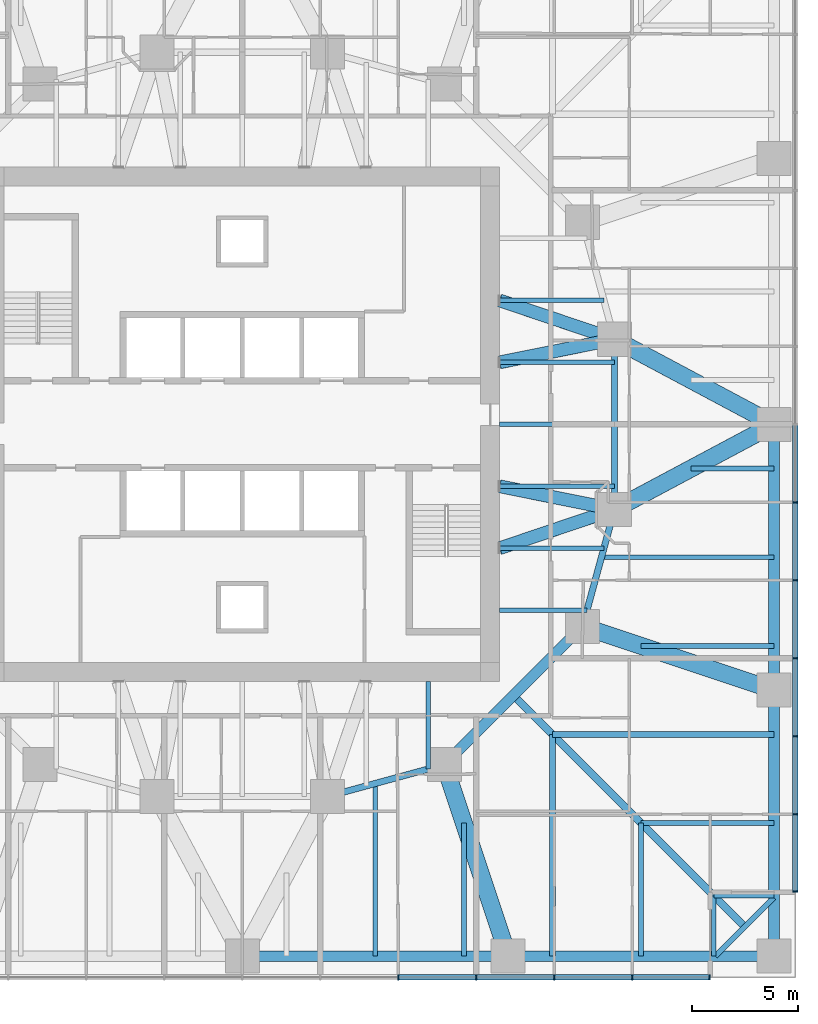
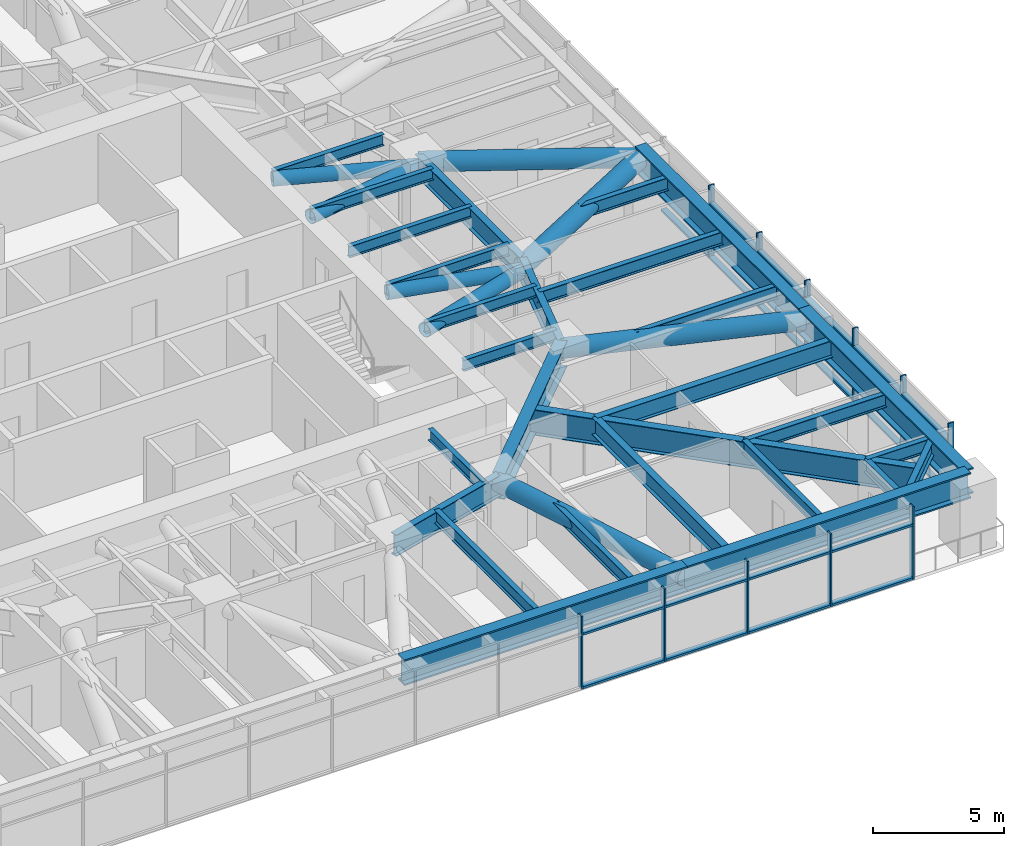
# One storey, part 4 of 17: 38 members, 28 beams, 2 elements without a shape of their own.
"""IFC4 building model written with IfcOpenShell, lengths in metres."""

from ifc_helpers import new_model, si_unit, direction, frame, origin, origin_2d, place, context, subcontext, project, spatial, rectangle, hollow_circle, i_section, extrude, material, material_profile, profile_set, type_object, element, aggregate, save


model = new_model("IFC4")

# Units and contexts
model_context = context("Model", 3, precision=1e-05, world=origin(), true_north=direction((0.0, 1.0)))
body_context = subcontext(model_context, "Body", "Model", "MODEL_VIEW")
ifc_project = project(units=[si_unit("LENGTHUNIT", "METRE"), si_unit("AREAUNIT", "SQUARE_METRE"), si_unit("VOLUMEUNIT", "CUBIC_METRE"), si_unit("PLANEANGLEUNIT", "RADIAN"), si_unit("MASSUNIT", "GRAM", prefix="KILO")], contexts=[model_context])

# Site, building, storey
site_placement = place(None, origin())
site = spatial("IfcSite", under=ifc_project, at=site_placement, CompositionType="ELEMENT")
building_placement = place(site_placement, origin())
building = spatial("IfcBuilding", under=site, at=building_placement, Name="Torsade Residences", CompositionType="ELEMENT")
storey_placement = place(building_placement, frame((0.0, 0.0, 38.800048828125)))
storey = spatial("IfcBuildingStorey", under=building, at=storey_placement, Name="L10", CompositionType="ELEMENT", Elevation=38.800048828125)

# Beams
ifc_material_1 = material(Name="Steel grade 300", Category="steel")
ifc_material_profile_1 = material_profile(ifc_material_1, i_section(OverallWidth=0.35009765625, OverallDepth=1.199951171875, WebThickness=0.01611328125, FlangeThickness=0.028076171875, at=origin_2d()), Name="1200WB278")
ifc_profile_set_1 = profile_set([ifc_material_profile_1], Name="Steel grade 300")
beam_type_1 = type_object("IfcBeamType", Name="CORNER GIRDER 1200WB278", PredefinedType="BEAM", material=ifc_profile_set_1)
beam_1_placement = place(storey_placement, frame((63.625, 6.375, 2.599853515625), z_axis=(-0.707106781187, 0.707106781187, 0.0), x_axis=(-0.707106781187, -0.707106781187, 0.0)))
element("IfcBeam", 1, at=beam_1_placement, inside=storey, type_object=beam_type_1, Name="Corner girder 05 L11", PredefinedType="BEAM", context=body_context, shape_type="SweptSolid", body=[
    extrude(i_section(OverallWidth=0.35009765625, OverallDepth=1.199951171875, WebThickness=0.01611328125, FlangeThickness=0.028076171875, at=origin_2d()), origin(), (0.0, 0.0, 1.0), 15.379638671875),
])
ifc_material_2 = material(Name="Steel grade 300", Category="steel")
ifc_material_profile_2 = material_profile(ifc_material_2, i_section(OverallWidth=0.25, OverallDepth=0.699951171875, WebThickness=0.010009765625, FlangeThickness=0.02001953125, at=origin_2d()), Name="700WB130")
ifc_profile_set_2 = profile_set([ifc_material_profile_2], Name="Steel grade 300")
beam_type_2 = type_object("IfcBeamType", Name="CORNER TRIMMER 700WB130", PredefinedType="BEAM", material=ifc_profile_set_2)
beam_2_placement = place(storey_placement, frame((65.0, 7.75, 2.849853515625), z_axis=(-0.707106781187, -0.707106781187, 0.0), x_axis=(0.707106781187, -0.707106781187, 0.0)))
element("IfcBeam", 2, at=beam_2_placement, inside=storey, type_object=beam_type_2, Name="Corner trimmer 05 L11", PredefinedType="BEAM", context=body_context, shape_type="SweptSolid", body=[
    extrude(i_section(OverallWidth=0.25, OverallDepth=0.699951171875, WebThickness=0.010009765625, FlangeThickness=0.02001953125, at=origin_2d()), origin(), (0.0, 0.0, 1.0), 3.88916015625),
])

# Curtain wall, members
ifc_material_3 = material(Name="Aluminium and glass", Category="aluminium")
curtain_wall_type = type_object("IfcCurtainWallType", Name="FRITTED GLASS CURTAIN WALL LOW ZONE", PredefinedType="NOTDEFINED", material=ifc_material_3)
curtain_wall_1_placement = place(storey_placement, origin())
curtain_wall_1 = element("IfcCurtainWall", 3, at=curtain_wall_1_placement, inside=storey, type_object=curtain_wall_type, Name="Curtain wall L10 face 1", PredefinedType="NOTDEFINED")
ifc_material_4 = material(Name="Aluminium mullion", Category="aluminium")
ifc_material_profile_3 = material_profile(ifc_material_4, rectangle(XDim=0.25, YDim=0.06494140625, at=origin_2d()), Name="CURTAIN WALL MULLION 250x65")
ifc_profile_set_3 = profile_set([ifc_material_profile_3], Name="Aluminium mullion")
member_type_1 = type_object("IfcMemberType", Name="CURTAIN WALL MULLION 250x65", PredefinedType="MULLION", material=ifc_profile_set_3)
member_1_placement = place(storey_placement, frame((47.333251953125, 4.0, 0.0), z_axis=(0.0, 0.0, 1.0), x_axis=(0.0, 1.0, 0.0)))
member_1 = element("IfcMember", 4, at=member_1_placement, type_object=member_type_1, Name="Mullion 9", PredefinedType="MULLION", context=body_context, shape_type="SweptSolid", body=[
    extrude(rectangle(XDim=0.25, YDim=0.06494140625, at=origin_2d()), origin(), (0.0, 0.0, 1.0), 3.39990234375),
])
member_2_placement = place(storey_placement, frame((51.0, 4.0, 0.0), z_axis=(0.0, 0.0, 1.0), x_axis=(0.0, 1.0, 0.0)))
member_2 = element("IfcMember", 5, at=member_2_placement, type_object=member_type_1, Name="Mullion 10", PredefinedType="MULLION", context=body_context, shape_type="SweptSolid", body=[
    extrude(rectangle(XDim=0.25, YDim=0.06494140625, at=origin_2d()), origin(), (0.0, 0.0, 1.0), 3.39990234375),
])
member_3_placement = place(storey_placement, frame((54.666748046875, 4.0, 0.0), z_axis=(0.0, 0.0, 1.0), x_axis=(0.0, 1.0, 0.0)))
member_3 = element("IfcMember", 6, at=member_3_placement, type_object=member_type_1, Name="Mullion 11", PredefinedType="MULLION", context=body_context, shape_type="SweptSolid", body=[
    extrude(rectangle(XDim=0.25, YDim=0.06494140625, at=origin_2d()), origin(), (0.0, 0.0, 1.0), 3.39990234375),
])
member_4_placement = place(storey_placement, frame((58.333251953125, 4.0, 0.0), z_axis=(0.0, 0.0, 1.0), x_axis=(0.0, 1.0, 0.0)))
member_4 = element("IfcMember", 7, at=member_4_placement, type_object=member_type_1, Name="Mullion 12", PredefinedType="MULLION", context=body_context, shape_type="SweptSolid", body=[
    extrude(rectangle(XDim=0.25, YDim=0.06494140625, at=origin_2d()), origin(), (0.0, 0.0, 1.0), 3.39990234375),
])
member_5_placement = place(storey_placement, frame((61.967529296875, 4.0, 0.0), z_axis=(0.0, 0.0, 1.0), x_axis=(0.0, 1.0, 0.0)))
member_5 = element("IfcMember", 8, at=member_5_placement, type_object=member_type_1, Name="Mullion 13", PredefinedType="MULLION", context=body_context, shape_type="SweptSolid", body=[
    extrude(rectangle(XDim=0.25, YDim=0.06494140625, at=origin_2d()), origin(), (0.0, 0.0, 1.0), 3.39990234375),
])

curtain_wall_2_placement = place(storey_placement, origin())
curtain_wall_2 = element("IfcCurtainWall", 9, at=curtain_wall_2_placement, inside=storey, type_object=curtain_wall_type, Name="Curtain wall L10 face 4", PredefinedType="NOTDEFINED")
member_6_placement = place(storey_placement, frame((66.0, 8.032470703125, 0.0), z_axis=(0.0, 0.0, 1.0), x_axis=(-1.0, 0.0, 0.0)))
member_6 = element("IfcMember", 10, at=member_6_placement, type_object=member_type_1, Name="Mullion 1", PredefinedType="MULLION", context=body_context, shape_type="SweptSolid", body=[
    extrude(rectangle(XDim=0.25, YDim=0.06494140625, at=origin_2d()), origin(), (0.0, 0.0, 1.0), 3.39990234375),
])
member_7_placement = place(storey_placement, frame((66.0, 11.666748046875, 0.0), z_axis=(0.0, 0.0, 1.0), x_axis=(-1.0, 0.0, 0.0)))
member_7 = element("IfcMember", 11, at=member_7_placement, type_object=member_type_1, Name="Mullion 2", PredefinedType="MULLION", context=body_context, shape_type="SweptSolid", body=[
    extrude(rectangle(XDim=0.25, YDim=0.06494140625, at=origin_2d()), origin(), (0.0, 0.0, 1.0), 3.39990234375),
])
member_8_placement = place(storey_placement, frame((66.0, 15.333251953125, 0.0), z_axis=(0.0, 0.0, 1.0), x_axis=(-1.0, 0.0, 0.0)))
member_8 = element("IfcMember", 12, at=member_8_placement, type_object=member_type_1, Name="Mullion 3", PredefinedType="MULLION", context=body_context, shape_type="SweptSolid", body=[
    extrude(rectangle(XDim=0.25, YDim=0.06494140625, at=origin_2d()), origin(), (0.0, 0.0, 1.0), 3.39990234375),
])
member_9_placement = place(storey_placement, frame((66.0, 19.0, 0.0), z_axis=(0.0, 0.0, 1.0), x_axis=(-1.0, 0.0, 0.0)))
member_9 = element("IfcMember", 13, at=member_9_placement, type_object=member_type_1, Name="Mullion 4", PredefinedType="MULLION", context=body_context, shape_type="SweptSolid", body=[
    extrude(rectangle(XDim=0.25, YDim=0.06494140625, at=origin_2d()), origin(), (0.0, 0.0, 1.0), 3.39990234375),
])
member_10_placement = place(storey_placement, frame((66.0, 22.666748046875, 0.0), z_axis=(0.0, 0.0, 1.0), x_axis=(-1.0, 0.0, 0.0)))
member_10 = element("IfcMember", 14, at=member_10_placement, type_object=member_type_1, Name="Mullion 5", PredefinedType="MULLION", context=body_context, shape_type="SweptSolid", body=[
    extrude(rectangle(XDim=0.25, YDim=0.06494140625, at=origin_2d()), origin(), (0.0, 0.0, 1.0), 3.39990234375),
])
member_11_placement = place(storey_placement, frame((66.0, 26.333251953125, 0.0), z_axis=(0.0, 0.0, 1.0), x_axis=(-1.0, 0.0, 0.0)))
member_11 = element("IfcMember", 15, at=member_11_placement, type_object=member_type_1, Name="Mullion 6", PredefinedType="MULLION", context=body_context, shape_type="SweptSolid", body=[
    extrude(rectangle(XDim=0.25, YDim=0.06494140625, at=origin_2d()), origin(), (0.0, 0.0, 1.0), 3.39990234375),
])

# Member
ifc_material_5 = material(Name="Aluminium transom", Category="aluminium")
ifc_material_profile_4 = material_profile(ifc_material_5, rectangle(XDim=0.25, YDim=0.10009765625, at=origin_2d()), Name="CURTAIN WALL TRANSOM 250x100")
ifc_profile_set_4 = profile_set([ifc_material_profile_4], Name="Aluminium transom")
member_type_2 = type_object("IfcMemberType", Name="CURTAIN WALL TRANSOM 250x100", PredefinedType="USERDEFINED", material=ifc_profile_set_4)
member_12_placement = place(storey_placement, frame((47.36572265625, 4.0, 0.050048828125), z_axis=(1.0, 0.0, 0.0), x_axis=(0.0, 1.0, 0.0)))
member_12 = element("IfcMember", 16, at=member_12_placement, type_object=member_type_2, Name="Transom 9.1", ObjectType="TRANSOM", PredefinedType="USERDEFINED", context=body_context, shape_type="SweptSolid", body=[
    extrude(rectangle(XDim=0.25, YDim=0.10009765625, at=origin_2d()), origin(), (0.0, 0.0, 1.0), 3.601806640625),
])

member_13_placement = place(storey_placement, frame((47.36572265625, 4.0, 2.550048828125), z_axis=(1.0, 0.0, 0.0), x_axis=(0.0, 1.0, 0.0)))
member_13 = element("IfcMember", 17, at=member_13_placement, type_object=member_type_2, Name="Transom 9.2", ObjectType="TRANSOM", PredefinedType="USERDEFINED", context=body_context, shape_type="SweptSolid", body=[
    extrude(rectangle(XDim=0.25, YDim=0.10009765625, at=origin_2d()), origin(), (0.0, 0.0, 1.0), 3.601806640625),
])

member_14_placement = place(storey_placement, frame((51.032470703125, 4.0, 0.050048828125), z_axis=(1.0, 0.0, 0.0), x_axis=(0.0, 1.0, 0.0)))
member_14 = element("IfcMember", 18, at=member_14_placement, type_object=member_type_2, Name="Transom 10.1", ObjectType="TRANSOM", PredefinedType="USERDEFINED", context=body_context, shape_type="SweptSolid", body=[
    extrude(rectangle(XDim=0.25, YDim=0.10009765625, at=origin_2d()), origin(), (0.0, 0.0, 1.0), 3.601806640625),
])

member_15_placement = place(storey_placement, frame((51.032470703125, 4.0, 2.550048828125), z_axis=(1.0, 0.0, 0.0), x_axis=(0.0, 1.0, 0.0)))
member_15 = element("IfcMember", 19, at=member_15_placement, type_object=member_type_2, Name="Transom 10.2", ObjectType="TRANSOM", PredefinedType="USERDEFINED", context=body_context, shape_type="SweptSolid", body=[
    extrude(rectangle(XDim=0.25, YDim=0.10009765625, at=origin_2d()), origin(), (0.0, 0.0, 1.0), 3.601806640625),
])

member_16_placement = place(storey_placement, frame((54.69921875, 4.0, 0.050048828125), z_axis=(1.0, 0.0, 0.0), x_axis=(0.0, 1.0, 0.0)))
member_16 = element("IfcMember", 20, at=member_16_placement, type_object=member_type_2, Name="Transom 11.1", ObjectType="TRANSOM", PredefinedType="USERDEFINED", context=body_context, shape_type="SweptSolid", body=[
    extrude(rectangle(XDim=0.25, YDim=0.10009765625, at=origin_2d()), origin(), (0.0, 0.0, 1.0), 3.6015625),
])

member_17_placement = place(storey_placement, frame((54.69921875, 4.0, 2.550048828125), z_axis=(1.0, 0.0, 0.0), x_axis=(0.0, 1.0, 0.0)))
member_17 = element("IfcMember", 21, at=member_17_placement, type_object=member_type_2, Name="Transom 11.2", ObjectType="TRANSOM", PredefinedType="USERDEFINED", context=body_context, shape_type="SweptSolid", body=[
    extrude(rectangle(XDim=0.25, YDim=0.10009765625, at=origin_2d()), origin(), (0.0, 0.0, 1.0), 3.6015625),
])

member_18_placement = place(storey_placement, frame((58.36572265625, 4.0, 0.050048828125), z_axis=(1.0, 0.0, 0.0), x_axis=(0.0, 1.0, 0.0)))
member_18 = element("IfcMember", 22, at=member_18_placement, type_object=member_type_2, Name="Transom 12.1", ObjectType="TRANSOM", PredefinedType="USERDEFINED", context=body_context, shape_type="SweptSolid", body=[
    extrude(rectangle(XDim=0.25, YDim=0.10009765625, at=origin_2d()), origin(), (0.0, 0.0, 1.0), 3.5693359375),
])

member_19_placement = place(storey_placement, frame((58.36572265625, 4.0, 2.550048828125), z_axis=(1.0, 0.0, 0.0), x_axis=(0.0, 1.0, 0.0)))
member_19 = element("IfcMember", 23, at=member_19_placement, type_object=member_type_2, Name="Transom 12.2", ObjectType="TRANSOM", PredefinedType="USERDEFINED", context=body_context, shape_type="SweptSolid", body=[
    extrude(rectangle(XDim=0.25, YDim=0.10009765625, at=origin_2d()), origin(), (0.0, 0.0, 1.0), 3.5693359375),
])

aggregate(curtain_wall_1, [member_1, member_2, member_3, member_4, member_5, member_12, member_13, member_14, member_15, member_16, member_17, member_18, member_19])

member_20_placement = place(storey_placement, frame((66.0, 8.06494140625, 0.050048828125), z_axis=(0.0, 1.0, 0.0), x_axis=(-1.0, 0.0, 0.0)))
member_20 = element("IfcMember", 24, at=member_20_placement, type_object=member_type_2, Name="Transom 1.1", ObjectType="TRANSOM", PredefinedType="USERDEFINED", context=body_context, shape_type="SweptSolid", body=[
    extrude(rectangle(XDim=0.25, YDim=0.10009765625, at=origin_2d()), origin(), (0.0, 0.0, 1.0), 3.5693359375),
])

member_21_placement = place(storey_placement, frame((66.0, 8.06494140625, 2.550048828125), z_axis=(0.0, 1.0, 0.0), x_axis=(-1.0, 0.0, 0.0)))
member_21 = element("IfcMember", 25, at=member_21_placement, type_object=member_type_2, Name="Transom 1.2", ObjectType="TRANSOM", PredefinedType="USERDEFINED", context=body_context, shape_type="SweptSolid", body=[
    extrude(rectangle(XDim=0.25, YDim=0.10009765625, at=origin_2d()), origin(), (0.0, 0.0, 1.0), 3.5693359375),
])

member_22_placement = place(storey_placement, frame((66.0, 11.69921875, 0.050048828125), z_axis=(0.0, 1.0, 0.0), x_axis=(-1.0, 0.0, 0.0)))
member_22 = element("IfcMember", 26, at=member_22_placement, type_object=member_type_2, Name="Transom 2.1", ObjectType="TRANSOM", PredefinedType="USERDEFINED", context=body_context, shape_type="SweptSolid", body=[
    extrude(rectangle(XDim=0.25, YDim=0.10009765625, at=origin_2d()), origin(), (0.0, 0.0, 1.0), 3.6015625),
])

member_23_placement = place(storey_placement, frame((66.0, 11.69921875, 2.550048828125), z_axis=(0.0, 1.0, 0.0), x_axis=(-1.0, 0.0, 0.0)))
member_23 = element("IfcMember", 27, at=member_23_placement, type_object=member_type_2, Name="Transom 2.2", ObjectType="TRANSOM", PredefinedType="USERDEFINED", context=body_context, shape_type="SweptSolid", body=[
    extrude(rectangle(XDim=0.25, YDim=0.10009765625, at=origin_2d()), origin(), (0.0, 0.0, 1.0), 3.6015625),
])

member_24_placement = place(storey_placement, frame((66.0, 15.36572265625, 0.050048828125), z_axis=(0.0, 1.0, 0.0), x_axis=(-1.0, 0.0, 0.0)))
member_24 = element("IfcMember", 28, at=member_24_placement, type_object=member_type_2, Name="Transom 3.1", ObjectType="TRANSOM", PredefinedType="USERDEFINED", context=body_context, shape_type="SweptSolid", body=[
    extrude(rectangle(XDim=0.25, YDim=0.10009765625, at=origin_2d()), origin(), (0.0, 0.0, 1.0), 3.601806640625),
])

member_25_placement = place(storey_placement, frame((66.0, 15.36572265625, 2.550048828125), z_axis=(0.0, 1.0, 0.0), x_axis=(-1.0, 0.0, 0.0)))
member_25 = element("IfcMember", 29, at=member_25_placement, type_object=member_type_2, Name="Transom 3.2", ObjectType="TRANSOM", PredefinedType="USERDEFINED", context=body_context, shape_type="SweptSolid", body=[
    extrude(rectangle(XDim=0.25, YDim=0.10009765625, at=origin_2d()), origin(), (0.0, 0.0, 1.0), 3.601806640625),
])

member_26_placement = place(storey_placement, frame((66.0, 19.032470703125, 0.050048828125), z_axis=(0.0, 1.0, 0.0), x_axis=(-1.0, 0.0, 0.0)))
member_26 = element("IfcMember", 30, at=member_26_placement, type_object=member_type_2, Name="Transom 4.1", ObjectType="TRANSOM", PredefinedType="USERDEFINED", context=body_context, shape_type="SweptSolid", body=[
    extrude(rectangle(XDim=0.25, YDim=0.10009765625, at=origin_2d()), origin(), (0.0, 0.0, 1.0), 3.601806640625),
])

member_27_placement = place(storey_placement, frame((66.0, 19.032470703125, 2.550048828125), z_axis=(0.0, 1.0, 0.0), x_axis=(-1.0, 0.0, 0.0)))
member_27 = element("IfcMember", 31, at=member_27_placement, type_object=member_type_2, Name="Transom 4.2", ObjectType="TRANSOM", PredefinedType="USERDEFINED", context=body_context, shape_type="SweptSolid", body=[
    extrude(rectangle(XDim=0.25, YDim=0.10009765625, at=origin_2d()), origin(), (0.0, 0.0, 1.0), 3.601806640625),
])

member_28_placement = place(storey_placement, frame((66.0, 22.69921875, 0.050048828125), z_axis=(0.0, 1.0, 0.0), x_axis=(-1.0, 0.0, 0.0)))
member_28 = element("IfcMember", 32, at=member_28_placement, type_object=member_type_2, Name="Transom 5.1", ObjectType="TRANSOM", PredefinedType="USERDEFINED", context=body_context, shape_type="SweptSolid", body=[
    extrude(rectangle(XDim=0.25, YDim=0.10009765625, at=origin_2d()), origin(), (0.0, 0.0, 1.0), 3.6015625),
])

member_29_placement = place(storey_placement, frame((66.0, 22.69921875, 2.550048828125), z_axis=(0.0, 1.0, 0.0), x_axis=(-1.0, 0.0, 0.0)))
member_29 = element("IfcMember", 33, at=member_29_placement, type_object=member_type_2, Name="Transom 5.2", ObjectType="TRANSOM", PredefinedType="USERDEFINED", context=body_context, shape_type="SweptSolid", body=[
    extrude(rectangle(XDim=0.25, YDim=0.10009765625, at=origin_2d()), origin(), (0.0, 0.0, 1.0), 3.6015625),
])

member_30_placement = place(storey_placement, frame((66.0, 26.36572265625, 0.050048828125), z_axis=(0.0, 1.0, 0.0), x_axis=(-1.0, 0.0, 0.0)))
member_30 = element("IfcMember", 34, at=member_30_placement, type_object=member_type_2, Name="Transom 6.1", ObjectType="TRANSOM", PredefinedType="USERDEFINED", context=body_context, shape_type="SweptSolid", body=[
    extrude(rectangle(XDim=0.25, YDim=0.10009765625, at=origin_2d()), origin(), (0.0, 0.0, 1.0), 3.601806640625),
])

aggregate(curtain_wall_2, [member_6, member_7, member_8, member_9, member_10, member_11, member_20, member_21, member_22, member_23, member_24, member_25, member_26, member_27, member_28, member_29, member_30])

# Beams
ifc_material_6 = material(Name="Steel grade 300", Category="steel")
ifc_material_profile_5 = material_profile(ifc_material_6, i_section(OverallWidth=0.208984375, OverallDepth=0.528076171875, WebThickness=0.009521484375, FlangeThickness=0.01318359375, FilletRadius=0.013916015625, at=origin_2d()), Name="530UB82.0")
ifc_profile_set_5 = profile_set([ifc_material_profile_5], Name="Steel grade 300")
beam_type_3 = type_object("IfcBeamType", Name="INNER FLOOR BEAM 530UB82.0", PredefinedType="JOIST", material=ifc_profile_set_5)
for number, where, z_axis, x_axis, name in (
    (35, (48.737548828125, 17.89990234375, 2.93603515625), (0.0, -1.0, 0.0), (1.0, 0.0, 0.0), "Inner floor beam IS01 L11"),
    (36, (52.10009765625, 21.262451171875, 2.93603515625), (1.0, 0.0, 0.0), (0.0, 1.0, 0.0), "Inner floor beam IE01 L11"),
):
    element("IfcBeam", number, at=place(storey_placement, frame(where, z_axis=z_axis, x_axis=x_axis)), inside=storey, type_object=beam_type_3, Name=name, PredefinedType="JOIST", context=body_context, shape_type="SweptSolid", body=[
        extrude(i_section(OverallWidth=0.208984375, OverallDepth=0.528076171875, WebThickness=0.009521484375, FlangeThickness=0.01318359375, FilletRadius=0.013916015625, at=origin_2d()), origin(), (0.0, 0.0, 1.0), 4.10791015625),
    ])
beam_3_placement = place(storey_placement, frame((52.10009765625, 24.175048828125, 2.93603515625), z_axis=(1.0, 0.0, 0.0), x_axis=(0.0, 1.0, 0.0)))
element("IfcBeam", 37, at=beam_3_placement, inside=storey, type_object=beam_type_3, Name="Inner floor beam IE02 L11", PredefinedType="JOIST", context=body_context, shape_type="SweptSolid", body=[
    extrude(i_section(OverallWidth=0.208984375, OverallDepth=0.528076171875, WebThickness=0.009521484375, FlangeThickness=0.01318359375, FilletRadius=0.013916015625, at=origin_2d()), origin(), (0.0, 0.0, 1.0), 4.902099609375),
])
for number, where, z_axis, x_axis, name in (
    (38, (52.10009765625, 27.08740234375, 2.93603515625), (1.0, 0.0, 0.0), (0.0, 1.0, 0.0), "Inner floor beam IE03 L11"),
    (39, (52.10009765625, 30.0, 2.93603515625), (1.0, 0.0, 0.0), (0.0, 1.0, 0.0), "Inner floor beam IE04 L11"),
    (40, (52.10009765625, 32.91259765625, 2.93603515625), (1.0, 0.0, 0.0), (0.0, 1.0, 0.0), "Inner floor beam IE05 L11"),
):
    element("IfcBeam", number, at=place(storey_placement, frame(where, z_axis=z_axis, x_axis=x_axis)), inside=storey, type_object=beam_type_3, Name=name, PredefinedType="JOIST", context=body_context, shape_type="SweptSolid", body=[
        extrude(i_section(OverallWidth=0.208984375, OverallDepth=0.528076171875, WebThickness=0.009521484375, FlangeThickness=0.01318359375, FilletRadius=0.013916015625, at=origin_2d()), origin(), (0.0, 0.0, 1.0), 5.39990234375),
    ])
beam_4_placement = place(storey_placement, frame((52.10009765625, 35.824951171875, 2.93603515625), z_axis=(1.0, 0.0, 0.0), x_axis=(0.0, 1.0, 0.0)))
element("IfcBeam", 41, at=beam_4_placement, inside=storey, type_object=beam_type_3, Name="Inner floor beam IE06 L11", PredefinedType="JOIST", context=body_context, shape_type="SweptSolid", body=[
    extrude(i_section(OverallWidth=0.208984375, OverallDepth=0.528076171875, WebThickness=0.009521484375, FlangeThickness=0.01318359375, FilletRadius=0.013916015625, at=origin_2d()), origin(), (0.0, 0.0, 1.0), 4.902099609375),
])
ifc_material_7 = material(Name="Steel grade 300", Category="steel")
ifc_material_profile_6 = material_profile(ifc_material_7, i_section(OverallWidth=0.5, OverallDepth=1.199951171875, WebThickness=0.01611328125, FlangeThickness=0.0400390625, at=origin_2d()), Name="1200WB455")
ifc_profile_set_6 = profile_set([ifc_material_profile_6], Name="Steel grade 300")
beam_type_4 = type_object("IfcBeamType", Name="RING CORNER GIRDER 1200WB455", PredefinedType="BEAM", material=ifc_profile_set_6)
beam_5_placement = place(storey_placement, frame((49.5, 14.0, 2.599853515625), z_axis=(0.707106781187, 0.707106781187, 0.0), x_axis=(-0.707106781187, 0.707106781187, 0.0)))
element("IfcBeam", 42, at=beam_5_placement, inside=storey, type_object=beam_type_4, Name="Ring girder IR15 L11", PredefinedType="BEAM", context=body_context, shape_type="SweptSolid", body=[
    extrude(i_section(OverallWidth=0.5, OverallDepth=1.199951171875, WebThickness=0.01611328125, FlangeThickness=0.0400390625, at=origin_2d()), origin(), (0.0, 0.0, 1.0), 9.1923828125),
])
ifc_material_8 = material(Name="Steel grade 300", Category="steel")
ifc_material_profile_7 = material_profile(ifc_material_8, i_section(OverallWidth=0.300048828125, OverallDepth=1.0, WebThickness=0.01611328125, FlangeThickness=0.028076171875, at=origin_2d()), Name="1000WB215")
ifc_profile_set_7 = profile_set([ifc_material_profile_7], Name="Steel grade 300")
beam_type_5 = type_object("IfcBeamType", Name="RING GIRDER 1000WB215", PredefinedType="BEAM", material=ifc_profile_set_7)
beam_6_placement = place(storey_placement, frame((57.5, 26.0, 2.699951171875), z_axis=(0.0, 1.0, 0.0), x_axis=(-1.0, 0.0, 0.0)))
element("IfcBeam", 43, at=beam_6_placement, inside=storey, type_object=beam_type_5, Name="Ring girder IR01 L11", PredefinedType="BEAM", context=body_context, shape_type="SweptSolid", body=[
    extrude(i_section(OverallWidth=0.300048828125, OverallDepth=1.0, WebThickness=0.01611328125, FlangeThickness=0.028076171875, at=origin_2d()), origin(), (0.0, 0.0, 1.0), 8.0),
])
for number, where, z_axis, x_axis, name in (
    (44, (44.0, 12.5, 2.699951171875), (0.964763821238, 0.263117405792, 0.0), (-0.263117405792, 0.964763821238, 0.0), "Ring girder IR14 L11"),
    (45, (56.0, 20.5, 2.699951171875), (0.263117405792, 0.964763821238, 0.0), (-0.964763821238, 0.263117405792, 0.0), "Ring girder IR16 L11"),
):
    element("IfcBeam", number, at=place(storey_placement, frame(where, z_axis=z_axis, x_axis=x_axis)), inside=storey, type_object=beam_type_5, Name=name, PredefinedType="BEAM", context=body_context, shape_type="SweptSolid", body=[
        extrude(i_section(OverallWidth=0.300048828125, OverallDepth=1.0, WebThickness=0.01611328125, FlangeThickness=0.028076171875, at=origin_2d()), origin(), (0.0, 0.0, 1.0), 5.700927734375),
    ])
ifc_material_9 = material(Name="Steel grade 300", Category="steel")
ifc_material_profile_8 = material_profile(ifc_material_9, i_section(OverallWidth=0.22900390625, OverallDepth=0.612060546875, WebThickness=0.011962890625, FlangeThickness=0.01953125, FilletRadius=0.013916015625, at=origin_2d()), Name="610UB125")
ifc_profile_set_8 = profile_set([ifc_material_profile_8], Name="Steel grade 300")
beam_type_6 = type_object("IfcBeamType", Name="SECONDARY BEAM 610UB125", PredefinedType="JOIST", material=ifc_profile_set_8)
beam_7_placement = place(storey_placement, frame((46.25, 5.0, 2.89404296875), z_axis=(0.0, 1.0, 0.0), x_axis=(-1.0, 0.0, 0.0)))
element("IfcBeam", 46, at=beam_7_placement, inside=storey, type_object=beam_type_6, Name="Floor beam FS08 L11", PredefinedType="JOIST", context=body_context, shape_type="SweptSolid", body=[
    extrude(i_section(OverallWidth=0.22900390625, OverallDepth=0.612060546875, WebThickness=0.011962890625, FlangeThickness=0.01953125, FilletRadius=0.013916015625, at=origin_2d()), origin(), (0.0, 0.0, 1.0), 8.113525390625),
])
for number, where, z_axis, x_axis, name in (
    (47, (50.416748046875, 5.0, 2.89404296875), (0.0, 1.0, 0.0), (-1.0, 0.0, 0.0), "Floor beam FS09 L11"),
    (48, (58.75, 5.0, 2.89404296875), (0.0, 1.0, 0.0), (-1.0, 0.0, 0.0), "Floor beam FS11 L11"),
):
    element("IfcBeam", number, at=place(storey_placement, frame(where, z_axis=z_axis, x_axis=x_axis)), inside=storey, type_object=beam_type_6, Name=name, PredefinedType="JOIST", context=body_context, shape_type="SweptSolid", body=[
        extrude(i_section(OverallWidth=0.22900390625, OverallDepth=0.612060546875, WebThickness=0.011962890625, FlangeThickness=0.01953125, FilletRadius=0.013916015625, at=origin_2d()), origin(), (0.0, 0.0, 1.0), 6.25),
    ])
for number, where, z_axis, x_axis, name in (
    (49, (62.166748046875, 5.0, 2.89404296875), (0.0, 1.0, 0.0), (-1.0, 0.0, 0.0), "Floor beam FS12 L11"),
    (50, (65.0, 7.833251953125, 2.89404296875), (-1.0, 0.0, 0.0), (0.0, -1.0, 0.0), "Floor beam FE01 L11"),
):
    element("IfcBeam", number, at=place(storey_placement, frame(where, z_axis=z_axis, x_axis=x_axis)), inside=storey, type_object=beam_type_6, Name=name, PredefinedType="JOIST", context=body_context, shape_type="SweptSolid", body=[
        extrude(i_section(OverallWidth=0.22900390625, OverallDepth=0.612060546875, WebThickness=0.011962890625, FlangeThickness=0.01953125, FilletRadius=0.013916015625, at=origin_2d()), origin(), (0.0, 0.0, 1.0), 2.833251953125),
    ])
for number, where, z_axis, x_axis, name in (
    (51, (65.0, 11.25, 2.89404296875), (-1.0, 0.0, 0.0), (0.0, -1.0, 0.0), "Floor beam FE02 L11"),
    (52, (65.0, 19.583251953125, 2.89404296875), (-1.0, 0.0, 0.0), (0.0, -1.0, 0.0), "Floor beam FE04 L11"),
):
    element("IfcBeam", number, at=place(storey_placement, frame(where, z_axis=z_axis, x_axis=x_axis)), inside=storey, type_object=beam_type_6, Name=name, PredefinedType="JOIST", context=body_context, shape_type="SweptSolid", body=[
        extrude(i_section(OverallWidth=0.22900390625, OverallDepth=0.612060546875, WebThickness=0.011962890625, FlangeThickness=0.01953125, FilletRadius=0.013916015625, at=origin_2d()), origin(), (0.0, 0.0, 1.0), 6.25),
    ])
beam_8_placement = place(storey_placement, frame((65.0, 23.75, 2.89404296875), z_axis=(-1.0, 0.0, 0.0), x_axis=(0.0, -1.0, 0.0)))
element("IfcBeam", 53, at=beam_8_placement, inside=storey, type_object=beam_type_6, Name="Floor beam FE05 L11", PredefinedType="JOIST", context=body_context, shape_type="SweptSolid", body=[
    extrude(i_section(OverallWidth=0.22900390625, OverallDepth=0.612060546875, WebThickness=0.011962890625, FlangeThickness=0.01953125, FilletRadius=0.013916015625, at=origin_2d()), origin(), (0.0, 0.0, 1.0), 8.113525390625),
])
beam_9_placement = place(storey_placement, frame((65.0, 27.916748046875, 2.89404296875), z_axis=(-1.0, 0.0, 0.0), x_axis=(0.0, -1.0, 0.0)))
element("IfcBeam", 54, at=beam_9_placement, inside=storey, type_object=beam_type_6, Name="Floor beam FE06 L11", PredefinedType="JOIST", context=body_context, shape_type="SweptSolid", body=[
    extrude(i_section(OverallWidth=0.22900390625, OverallDepth=0.612060546875, WebThickness=0.011962890625, FlangeThickness=0.01953125, FilletRadius=0.013916015625, at=origin_2d()), origin(), (0.0, 0.0, 1.0), 3.90625),
])
ifc_material_10 = material(Name="Steel grade 300", Category="steel")
ifc_material_profile_9 = material_profile(ifc_material_10, i_section(OverallWidth=0.300048828125, OverallDepth=0.800048828125, WebThickness=0.010009765625, FlangeThickness=0.02001953125, at=origin_2d()), Name="800WB146")
ifc_profile_set_9 = profile_set([ifc_material_profile_9], Name="Steel grade 300")
beam_type_7 = type_object("IfcBeamType", Name="SECONDARY BEAM 800WB146", PredefinedType="JOIST", material=ifc_profile_set_9)
for number, where, z_axis, x_axis, name in (
    (55, (54.583251953125, 5.0, 2.800048828125), (0.0, 1.0, 0.0), (-1.0, 0.0, 0.0), "Floor beam FS10 L11"),
    (56, (65.0, 15.416748046875, 2.800048828125), (-1.0, 0.0, 0.0), (0.0, -1.0, 0.0), "Floor beam FE03 L11"),
):
    element("IfcBeam", number, at=place(storey_placement, frame(where, z_axis=z_axis, x_axis=x_axis)), inside=storey, type_object=beam_type_7, Name=name, PredefinedType="JOIST", context=body_context, shape_type="SweptSolid", body=[
        extrude(i_section(OverallWidth=0.300048828125, OverallDepth=0.800048828125, WebThickness=0.010009765625, FlangeThickness=0.02001953125, at=origin_2d()), origin(), (0.0, 0.0, 1.0), 10.416748046875),
    ])

# Members
ifc_material_11 = material(Name="Steel grade 450", Category="steel")
ifc_material_profile_10 = material_profile(ifc_material_11, hollow_circle(Radius=0.304931640625, WallThickness=0.01611328125, at=origin_2d()), Name="610.0x16.0CHS")
ifc_profile_set_10 = profile_set([ifc_material_profile_10], Name="Steel grade 450")
member_type_3 = type_object("IfcMemberType", Name="TRANSFER FLOOR BRACE 610.0x16.0CHS", PredefinedType="BRACE", material=ifc_profile_set_10)
member_31_placement = place(storey_placement, frame((57.5, 26.0, 2.599853515625), z_axis=(-0.97976207845, 0.197299045909, 0.03375434957), x_axis=(-0.197411538983, -0.980320704809, 0.0)))
element("IfcMember", 57, at=member_31_placement, inside=storey, type_object=member_type_3, Name="Transfer floor brace TT1 bottom IR01IE03", PredefinedType="BRACE", context=body_context, shape_type="SweptSolid", body=[
    extrude(hollow_circle(Radius=0.304931640625, WallThickness=0.01611328125, at=origin_2d()), origin(), (0.0, 0.0, 1.0), 5.511474609375),
])
member_32_placement = place(storey_placement, frame((57.5, 26.0, 2.599853515625), z_axis=(-0.946855969774, -0.319999474368, 0.032620682203), x_axis=(0.320169867513, -0.947360151124, 0.0)))
element("IfcMember", 58, at=member_32_placement, inside=storey, type_object=member_type_3, Name="Transfer floor brace TT1 bottom IR01IE02", PredefinedType="BRACE", context=body_context, shape_type="SweptSolid", body=[
    extrude(hollow_circle(Radius=0.304931640625, WallThickness=0.01611328125, at=origin_2d()), origin(), (0.0, 0.0, 1.0), 5.702880859375),
])
member_33_placement = place(storey_placement, frame((57.5, 34.0, 2.599853515625), z_axis=(-0.97976207845, -0.197299045909, 0.03375434957), x_axis=(0.197411538983, -0.980320704809, 0.0)))
element("IfcMember", 59, at=member_33_placement, inside=storey, type_object=member_type_3, Name="Transfer floor brace TT1 bottom IR02IE05", PredefinedType="BRACE", context=body_context, shape_type="SweptSolid", body=[
    extrude(hollow_circle(Radius=0.304931640625, WallThickness=0.01611328125, at=origin_2d()), origin(), (0.0, 0.0, 1.0), 5.511474609375),
])
member_34_placement = place(storey_placement, frame((57.5, 34.0, 2.599853515625), z_axis=(-0.946855969774, 0.319999474368, 0.032620682203), x_axis=(-0.320169867513, -0.947360151124, 0.0)))
element("IfcMember", 60, at=member_34_placement, inside=storey, type_object=member_type_3, Name="Transfer floor brace TT1 bottom IR02IE06", PredefinedType="BRACE", context=body_context, shape_type="SweptSolid", body=[
    extrude(hollow_circle(Radius=0.304931640625, WallThickness=0.01611328125, at=origin_2d()), origin(), (0.0, 0.0, 1.0), 5.702880859375),
])
ifc_material_12 = material(Name="Steel grade 450", Category="steel")
ifc_material_profile_11 = material_profile(ifc_material_12, hollow_circle(Radius=0.406494140625, WallThickness=0.02490234375, at=origin_2d()), Name="813.0x25.0CHS")
ifc_profile_set_11 = profile_set([ifc_material_profile_11], Name="Steel grade 450")
member_type_4 = type_object("IfcMemberType", Name="TRANSFER FLOOR STRUT 813.0x25.0CHS", PredefinedType="STRUT", material=ifc_profile_set_11)
for number, where, z_axis, x_axis, name in (
    (61, (52.5, 5.0, 2.800048828125), (-0.316227766017, 0.948683298051, 0.0), (-0.948683298051, -0.316227766017, 0.0), "Transfer floor strut TT1 bottom 04IR15"),
    (62, (65.0, 17.5, 2.800048828125), (-0.948683298051, 0.316227766017, 0.0), (-0.316227766017, -0.948683298051, 0.0), "Transfer floor strut TT1 bottom 06IR16"),
):
    element("IfcMember", number, at=place(storey_placement, frame(where, z_axis=z_axis, x_axis=x_axis)), inside=storey, type_object=member_type_4, Name=name, PredefinedType="STRUT", context=body_context, shape_type="SweptSolid", body=[
        extrude(hollow_circle(Radius=0.406494140625, WallThickness=0.02490234375, at=origin_2d()), origin(), (0.0, 0.0, 1.0), 9.48681640625),
    ])
for number, where, z_axis, x_axis, name in (
    (63, (65.0, 30.0, 2.800048828125), (-0.882352941176, -0.470588235294, 0.0), (0.470588235294, -0.882352941176, 0.0), "Transfer floor strut TT1 bottom 07IR01"),
    (64, (65.0, 30.0, 2.800048828125), (-0.882352941176, 0.470588235294, 0.0), (-0.470588235294, -0.882352941176, 0.0), "Transfer floor strut TT1 bottom 07IR02"),
):
    element("IfcMember", number, at=place(storey_placement, frame(where, z_axis=z_axis, x_axis=x_axis)), inside=storey, type_object=member_type_4, Name=name, PredefinedType="STRUT", context=body_context, shape_type="SweptSolid", body=[
        extrude(hollow_circle(Radius=0.406494140625, WallThickness=0.02490234375, at=origin_2d()), origin(), (0.0, 0.0, 1.0), 8.5),
    ])

# Beams
ifc_material_13 = material(Name="Steel grade 350", Category="steel")
ifc_material_profile_12 = material_profile(ifc_material_13, i_section(OverallWidth=0.5, OverallDepth=1.199951171875, WebThickness=0.0400390625, FlangeThickness=0.070068359375, at=origin_2d()), Name="1200x500x70x40WPG")
ifc_profile_set_12 = profile_set([ifc_material_profile_12], Name="Steel grade 350")
beam_type_8 = type_object("IfcBeamType", Name="TRANSFER TRUSS CHORD 1200x500x70x40WPG", PredefinedType="USERDEFINED", material=ifc_profile_set_12)
for number, where, z_axis, x_axis, name in (
    (65, (40.0, 5.0, 2.800048828125), (1.0, 0.0, 0.0), (0.0, 1.0, 0.0), "Transfer truss TT1 bottom chord 03"),
    (66, (52.5, 5.0, 2.800048828125), (1.0, 0.0, 0.0), (0.0, 1.0, 0.0), "Transfer truss TT1 bottom chord 04"),
    (67, (65.0, 5.0, 2.800048828125), (0.0, 1.0, 0.0), (-1.0, 0.0, 0.0), "Transfer truss TT1 bottom chord 05"),
    (68, (65.0, 17.5, 2.800048828125), (0.0, 1.0, 0.0), (-1.0, 0.0, 0.0), "Transfer truss TT1 bottom chord 06"),
):
    element("IfcBeam", number, at=place(storey_placement, frame(where, z_axis=z_axis, x_axis=x_axis)), inside=storey, type_object=beam_type_8, Name=name, ObjectType="TRANSFER TRUSS CHORD", PredefinedType="USERDEFINED", context=body_context, shape_type="SweptSolid", body=[
        extrude(i_section(OverallWidth=0.5, OverallDepth=1.199951171875, WebThickness=0.0400390625, FlangeThickness=0.070068359375, at=origin_2d()), origin(), (0.0, 0.0, 1.0), 12.5),
    ])

save(model, "model.ifc")
